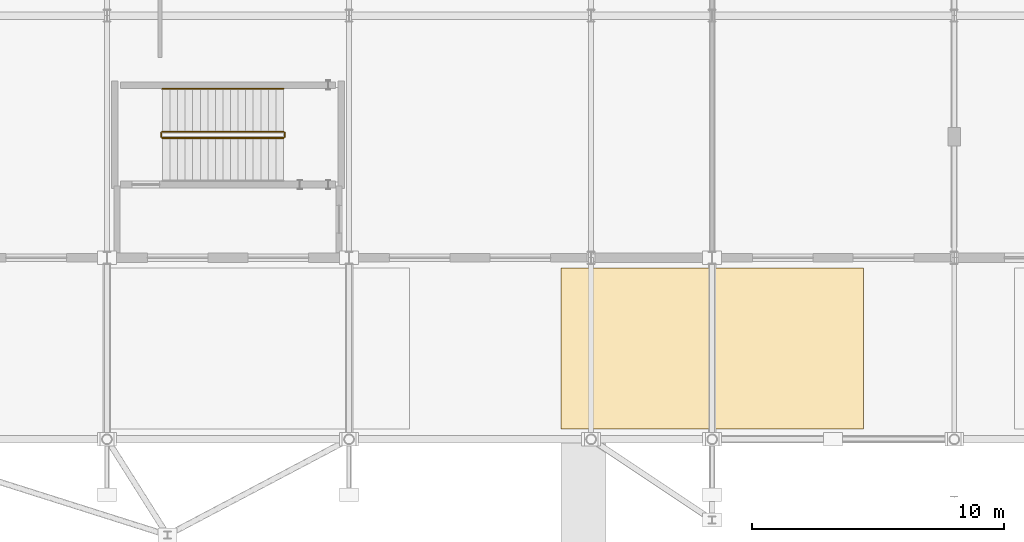
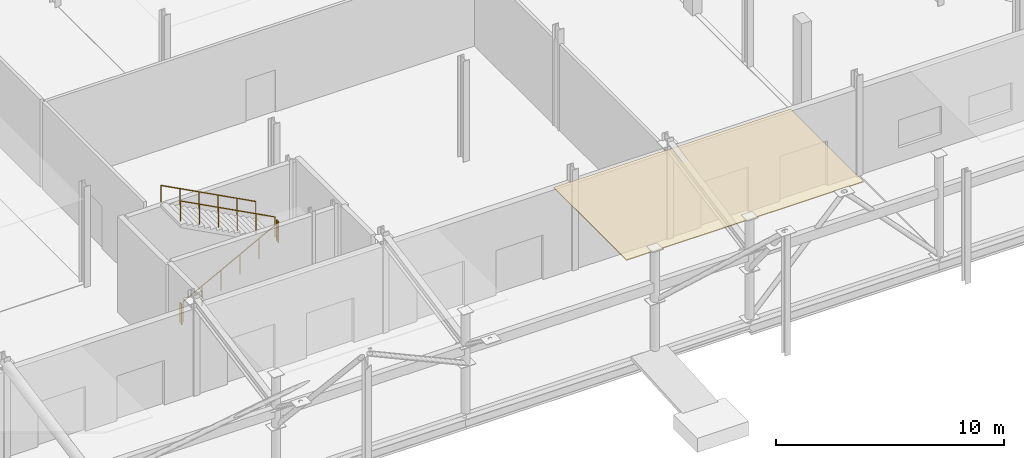
# One storey, part 68 of 84: 5 railings, 1 covering.
"""IFC4 building model written with IfcOpenShell, lengths in metres."""

import ifcopenshell
import ifcopenshell.guid

model = None  # the IFC model being written
_history = None  # IfcOwnerHistory: only IFC2X3 demands one
_inside = {}  # id of a spatial element -> (the spatial element, [elements in it])
_under = {}  # id of a project, library or spatial element -> (it, [spatial elements below it])
_declared = {}  # id of a project -> (the project, [libraries it declares])
_typed = {}  # id of a type object -> (the type object, [elements of that type])
_made_of = {}  # id of a material, layer set ... -> (it, [elements and type objects made of it])


def new_model(schema):
    """Start an empty IFC model of exactly this schema.

    Asked for "IFC4X3", IfcOpenShell would pick the latest addendum, in which some entities
    have other attributes; the version numbers below select the first issue.
    IFC2X3 requires an IfcOwnerHistory on every rooted entity: one is made here for all.
    """
    global model, _history
    if schema == "IFC4X3":
        model = ifcopenshell.file(schema_version=(4, 3, 0, 0))
    else:
        model = ifcopenshell.file(schema=schema)
    _inside.clear()
    _under.clear()
    _declared.clear()
    _typed.clear()
    _made_of.clear()
    _history = None
    if model.schema == "IFC2X3":
        org = make("IfcOrganization", Name="unknown")
        user = make(
            "IfcPersonAndOrganization",
            ThePerson=make("IfcPerson", FamilyName="unknown"),
            TheOrganization=org,
        )
        app = make(
            "IfcApplication",
            ApplicationDeveloper=org,
            Version="unknown",
            ApplicationFullName="unknown",
            ApplicationIdentifier="unknown",
        )
        _history = make(
            "IfcOwnerHistory",
            OwningUser=user,
            OwningApplication=app,
            ChangeAction="ADDED",
            CreationDate=0,
        )
    return model


def make(cls, **values):
    """One entity of the class cls with the attributes given. An attribute that is None is left unset."""
    return model.create_entity(
        cls, **{name: value for name, value in values.items() if value is not None}
    )


def rooted(cls, **values):
    """An entity with a GlobalId (a new one), such as an element, a storey or a relation."""
    return make(cls, GlobalId=ifcopenshell.guid.new(), OwnerHistory=_history, **values)


def si_unit(unit_type, name, prefix=None):
    """IfcSIUnit, for example si_unit("LENGTHUNIT", "METRE", prefix="MILLI")."""
    return make("IfcSIUnit", UnitType=unit_type, Prefix=prefix, Name=name)


def assignment(units):
    """IfcUnitAssignment: the units of a project."""
    return None if units is None else make("IfcUnitAssignment", Units=units)


def point(xyz):
    """IfcCartesianPoint."""
    return None if xyz is None else make("IfcCartesianPoint", Coordinates=xyz)


def direction(xyz):
    """IfcDirection."""
    return None if xyz is None else make("IfcDirection", DirectionRatios=xyz)


def frame(location, z_axis=None, x_axis=None):
    """IfcAxis2Placement3D, a coordinate frame: its origin and axes. An axis left out is left unset."""
    return make(
        "IfcAxis2Placement3D",
        Location=point(location),
        Axis=direction(z_axis),
        RefDirection=direction(x_axis),
    )


def frame_2d(location, x_axis=None):
    """IfcAxis2Placement2D, a coordinate frame in the plane: its origin and x axis."""
    return make(
        "IfcAxis2Placement2D", Location=point(location), RefDirection=direction(x_axis)
    )


def origin():
    """The frame at (0, 0, 0) with its axes left unset."""
    return frame((0.0, 0.0, 0.0))


def origin_2d():
    """The frame at (0, 0) in the plane with its x axis left unset."""
    return frame_2d((0.0, 0.0))


def place(relative_to, where):
    """IfcLocalPlacement: puts the frame where relative to a parent placement (None: the world)."""
    return make(
        "IfcLocalPlacement", PlacementRelTo=relative_to, RelativePlacement=where
    )


def context(
    kind, dimensions, precision=None, world=None, true_north=None, identifier=None
):
    """IfcGeometricRepresentationContext, for example the 3D "Model" context."""
    return make(
        "IfcGeometricRepresentationContext",
        ContextIdentifier=identifier,
        ContextType=kind,
        CoordinateSpaceDimension=dimensions,
        Precision=precision,
        WorldCoordinateSystem=world,
        TrueNorth=true_north,
    )


def subcontext(parent, identifier, kind, view, scale=None):
    """IfcGeometricRepresentationSubContext, for example "Body" below "Model"."""
    return make(
        "IfcGeometricRepresentationSubContext",
        ContextIdentifier=identifier,
        ContextType=kind,
        ParentContext=parent,
        TargetScale=scale,
        TargetView=view,
    )


def project(units=None, contexts=None):
    """IfcProject with its units and contexts."""
    return rooted(
        "IfcProject",
        Name="project",
        RepresentationContexts=contexts,
        UnitsInContext=assignment(units),
    )


def spatial(cls, under=None, at=None, **own):
    """A site, building, storey or space (cls), placed at a placement, below another one or the project."""
    s = rooted(cls, ObjectPlacement=at, **own)
    if under is not None:
        _under.setdefault(under.id(), (under, []))[1].append(s)
    return s


def polyline(points):
    """IfcPolyline through the points."""
    return make("IfcPolyline", Points=[point(p) for p in points])


def profile(cls, at=None, kind="AREA", **sizes):
    """A parametric profile (cls). Its sizes go by their IFC names, for example OverallWidth=200.0."""
    return make(cls, ProfileType=kind, Position=at, **sizes)


def circle(**sizes):
    """IfcCircleProfileDef."""
    return profile("IfcCircleProfileDef", **sizes)


def outline(outer, holes=None, kind="AREA"):
    """IfcArbitraryClosedProfileDef: a profile drawn as a closed curve; with holes, ...WithVoids."""
    if holes is None:
        return make("IfcArbitraryClosedProfileDef", ProfileType=kind, OuterCurve=outer)
    return make(
        "IfcArbitraryProfileDefWithVoids",
        ProfileType=kind,
        OuterCurve=outer,
        InnerCurves=holes,
    )


def extrude(swept, where, along, depth):
    """IfcExtrudedAreaSolid: the profile swept, set in the frame where, extruded along a direction by depth."""
    return make(
        "IfcExtrudedAreaSolid",
        SweptArea=swept,
        Position=where,
        ExtrudedDirection=direction(along),
        Depth=depth,
    )


def shape(context_of_items, identifier, shape_type, items):
    """IfcShapeRepresentation: the items that make up one representation, for example the "Body"."""
    return make(
        "IfcShapeRepresentation",
        ContextOfItems=context_of_items,
        RepresentationIdentifier=identifier,
        RepresentationType=shape_type,
        Items=items,
    )


def material(Name=None, Category=None):
    """IfcMaterial."""
    return make("IfcMaterial", Name=Name, Category=Category)


def layer(
    of_material, thickness, ventilated=None, Name=None, Category=None, Priority=None
):
    """IfcMaterialLayer: one layer of a wall or slab, of a material (None: an air gap)."""
    return make(
        "IfcMaterialLayer",
        Material=of_material,
        LayerThickness=thickness,
        IsVentilated=ventilated,
        Name=Name,
        Category=Category,
        Priority=Priority,
    )


def layer_set(layers, Name=None):
    """IfcMaterialLayerSet."""
    return make("IfcMaterialLayerSet", MaterialLayers=layers, LayerSetName=Name)


def made_of(thing, what):
    """Note that an element or type object is made of a material, layer set ...; save() writes the relation."""
    if what is not None:
        _made_of.setdefault(what.id(), (what, []))[1].append(thing)
    return thing


def type_object(cls, material=None, **own):
    """A type object (cls), such as IfcWallType, which elements share."""
    return made_of(rooted(cls, **own), material)


def element(
    cls,
    number,
    at=None,
    inside=None,
    cuts=None,
    type_object=None,
    material=None,
    context=None,
    identifier="Body",
    shape_type=None,
    held_by="IfcProductDefinitionShape",
    body=None,
    shapes=None,
    **own,
):
    """One element of the class cls, such as IfcWall. Its Tag is "e" and its number.

    at: its placement. inside: the storey or other place that contains it. cuts: it is an
    opening in that element (IfcRelVoidsElement). A single representation is given by context,
    identifier, shape_type and body (its items); several are given by shapes. held_by: the class
    of the entity that holds the representations. save() writes the other relations.
    """
    e = rooted(cls, Tag="e%d" % number, ObjectPlacement=at, **own)
    if body is not None:
        shapes = [shape(context, identifier, shape_type, body)]
    if shapes is not None:
        e.Representation = make(held_by, Representations=shapes)
    if inside is not None:
        _inside.setdefault(inside.id(), (inside, []))[1].append(e)
    if cuts is not None:
        rooted(
            "IfcRelVoidsElement", RelatingBuildingElement=cuts, RelatedOpeningElement=e
        )
    if type_object is not None:
        _typed.setdefault(type_object.id(), (type_object, []))[1].append(e)
    return made_of(e, material)


def aggregate(whole, parts):
    """IfcRelAggregates: a whole, such as a stair, and the parts it consists of."""
    return rooted("IfcRelAggregates", RelatingObject=whole, RelatedObjects=parts)


def save(model, path):
    """Write the relations noted so far, then the file.

    IfcRelAggregates (storeys below a building ...), IfcRelContainedInSpatialStructure (elements
    in a storey), IfcRelDefinesByType, IfcRelAssociatesMaterial and IfcRelDeclares: one each for
    every whole, place, type object, material and project.
    """
    for whole, parts in _under.values():
        aggregate(whole, parts)
    for where, things in _inside.values():
        rooted(
            "IfcRelContainedInSpatialStructure",
            RelatedElements=things,
            RelatingStructure=where,
        )
    for kind, things in _typed.values():
        rooted("IfcRelDefinesByType", RelatedObjects=things, RelatingType=kind)
    for what, things in _made_of.values():
        rooted("IfcRelAssociatesMaterial", RelatedObjects=things, RelatingMaterial=what)
    for by, libraries in _declared.values():
        rooted("IfcRelDeclares", RelatingContext=by, RelatedDefinitions=libraries)
    model.write(path)


model = new_model("IFC4")

# Units and contexts
model_context = context("Model", 3, precision=1e-05, world=origin(), true_north=direction((0.0, 1.0)))
body_context = subcontext(model_context, "Body", "Model", "MODEL_VIEW")
ifc_project = project(units=[si_unit("LENGTHUNIT", "METRE"), si_unit("AREAUNIT", "SQUARE_METRE"), si_unit("VOLUMEUNIT", "CUBIC_METRE"), si_unit("PLANEANGLEUNIT", "RADIAN"), si_unit("MASSUNIT", "GRAM", prefix="KILO")], contexts=[model_context])

# Site, building, storey
site_placement = place(None, origin())
site = spatial("IfcSite", under=ifc_project, at=site_placement, CompositionType="ELEMENT")
building_placement = place(site_placement, origin())
building = spatial("IfcBuilding", under=site, at=building_placement, Name="Zevrakil Square Congress Hotel", CompositionType="ELEMENT")
storey_placement = place(building_placement, origin())
storey = spatial("IfcBuildingStorey", under=building, at=storey_placement, Name="L01", CompositionType="ELEMENT", Elevation=0.0)

# Covering
ifc_material_1 = material(Name="White Ribbed Highland GRC Cladding")
ifc_layer = layer(ifc_material_1, 0.044921875)
ifc_layer_set = layer_set([ifc_layer], Name="White Ribbed Highland GRC Cladding")
covering_type = type_object("IfcCoveringType", Name="COV-CLAD-GRC-045", PredefinedType="CLADDING", material=ifc_layer_set)
covering_placement = place(storey_placement, frame((0.0, 0.0, 4.89990234375)))
element("IfcCovering", 1, at=covering_placement, inside=storey, type_object=covering_type, Name="L01 civic colonnade ribbed GRC soffit cladding 6", PredefinedType="CLADDING", context=body_context, shape_type="SweptSolid", body=[
    extrude(outline(polyline([(102.0, 0.39990234375), (114.0, 0.39990234375), (114.0, 6.800048828125), (102.0, 6.800048828125), (102.0, 0.39990234375)])), origin(), (0.0, 0.0, 1.0), 0.045166015625),
])

# Railings
ifc_material_2 = material(Name="Steel S355", Category="steel")
railing_type_1 = type_object("IfcRailingType", Name="RLG-STAIR-GUARD-1100", PredefinedType="BALUSTRADE", material=ifc_material_2)
railing_1_placement = place(storey_placement, frame((86.199951171875, 11.949951171875, 0.158935546875)))
element("IfcRailing", 2, at=railing_1_placement, inside=storey, type_object=railing_type_1, Name="L01 ST15 stair guard 1", PredefinedType="BALUSTRADE", context=body_context, shape_type="SweptSolid", body=[
    extrude(circle(Radius=0.02392578125, at=origin_2d()), frame((0.0, 0.0, 1.076171875), z_axis=(0.883802130504, 0.0, 0.467860870469), x_axis=(0.0, 1.0, 0.0)), (0.0, 0.0, 1.0), 5.43115234375),
    extrude(circle(Radius=0.02099609375, at=origin_2d()), origin(), (0.0, 0.0, 1.0), 1.052001953125),
    extrude(circle(Radius=0.02099609375, at=origin_2d()), frame((0.9599609375, 0.0, 0.50830078125)), (0.0, 0.0, 1.0), 1.052001953125),
    extrude(circle(Radius=0.02099609375, at=origin_2d()), frame((1.919921875, 0.0, 1.016357421875)), (0.0, 0.0, 1.0), 1.052001953125),
    extrude(circle(Radius=0.02099609375, at=origin_2d()), frame((2.880126953125, 0.0, 1.524658203125)), (0.0, 0.0, 1.0), 1.052001953125),
    extrude(circle(Radius=0.02099609375, at=origin_2d()), frame((3.840087890625, 0.0, 2.03271484375)), (0.0, 0.0, 1.0), 1.052001953125),
    extrude(circle(Radius=0.02099609375, at=origin_2d()), frame((4.800048828125, 0.0, 2.541015625)), (0.0, 0.0, 1.0), 1.052001953125),
])
railing_2_placement = place(storey_placement, frame((91.050048828125, 12.0, 2.699951171875)))
element("IfcRailing", 3, at=railing_2_placement, inside=storey, type_object=railing_type_1, Name="L01 ST15 stair guard 2", PredefinedType="BALUSTRADE", context=body_context, shape_type="SweptSolid", body=[
    extrude(circle(Radius=0.02392578125, at=origin_2d()), frame((0.0, 0.0, 1.076171875), z_axis=(0.0, 1.0, 0.0), x_axis=(-1.0, 0.0, 0.0)), (0.0, 0.0, 1.0), 0.14990234375),
    extrude(circle(Radius=0.02099609375, at=origin_2d()), origin(), (0.0, 0.0, 1.0), 1.052001953125),
    extrude(circle(Radius=0.02099609375, at=origin_2d()), frame((0.0, 0.14990234375, 0.0)), (0.0, 0.0, 1.0), 1.052001953125),
])
railing_3_placement = place(storey_placement, frame((91.0, 12.199951171875, 2.85888671875)))
element("IfcRailing", 4, at=railing_3_placement, inside=storey, type_object=railing_type_1, Name="L01 ST15 stair guard 3", PredefinedType="BALUSTRADE", context=body_context, shape_type="SweptSolid", body=[
    extrude(circle(Radius=0.02392578125, at=origin_2d()), frame((0.0, 0.0, 1.076171875), z_axis=(-0.883802130504, 0.0, 0.467860870469), x_axis=(0.0, -1.0, 0.0)), (0.0, 0.0, 1.0), 5.43115234375),
    extrude(circle(Radius=0.02099609375, at=origin_2d()), origin(), (0.0, 0.0, 1.0), 1.052001953125),
    extrude(circle(Radius=0.02099609375, at=origin_2d()), frame((-0.9599609375, 0.0, 0.50830078125)), (0.0, 0.0, 1.0), 1.052001953125),
    extrude(circle(Radius=0.02099609375, at=origin_2d()), frame((-1.919921875, 0.0, 1.016357421875)), (0.0, 0.0, 1.0), 1.052001953125),
    extrude(circle(Radius=0.02099609375, at=origin_2d()), frame((-2.880126953125, 0.0, 1.524658203125)), (0.0, 0.0, 1.0), 1.052001953125),
    extrude(circle(Radius=0.02099609375, at=origin_2d()), frame((-3.840087890625, 0.0, 2.03271484375)), (0.0, 0.0, 1.0), 1.052001953125),
    extrude(circle(Radius=0.02099609375, at=origin_2d()), frame((-4.800048828125, 0.0, 2.541015625)), (0.0, 0.0, 1.0), 1.052001953125),
])
railing_4_placement = place(storey_placement, frame((86.14990234375, 12.0, 0.0)))
element("IfcRailing", 5, at=railing_4_placement, inside=storey, type_object=railing_type_1, Name="L01 ST15 stair guard 4", PredefinedType="BALUSTRADE", context=body_context, shape_type="SweptSolid", body=[
    extrude(circle(Radius=0.02392578125, at=origin_2d()), frame((0.0, 0.0, 1.076171875), z_axis=(0.0, 1.0, 0.0), x_axis=(-1.0, 0.0, 0.0)), (0.0, 0.0, 1.0), 0.14990234375),
    extrude(circle(Radius=0.02099609375, at=origin_2d()), origin(), (0.0, 0.0, 1.0), 1.052001953125),
    extrude(circle(Radius=0.02099609375, at=origin_2d()), frame((0.0, 0.14990234375, 0.0)), (0.0, 0.0, 1.0), 1.052001953125),
])
ifc_material_3 = material(Name="Steel S355", Category="steel")
railing_type_2 = type_object("IfcRailingType", Name="RLG-STAIR-HAND-900", PredefinedType="HANDRAIL", material=ifc_material_3)
railing_5_placement = place(storey_placement, frame((91.0, 13.89990234375, 2.85888671875)))
element("IfcRailing", 6, at=railing_5_placement, inside=storey, type_object=railing_type_2, Name="L01 ST15 stair handrail 2", PredefinedType="HANDRAIL", context=body_context, shape_type="SweptSolid", body=[
    extrude(circle(Radius=0.02392578125, at=origin_2d()), frame((0.0, 0.0, 0.8759765625), z_axis=(-0.883802130504, 0.0, 0.467860870469), x_axis=(0.0, -1.0, 0.0)), (0.0, 0.0, 1.0), 5.43115234375),
    extrude(circle(Radius=0.02099609375, at=origin_2d()), origin(), (0.0, 0.0, 1.0), 0.851806640625),
    extrude(circle(Radius=0.02099609375, at=origin_2d()), frame((-0.9599609375, 0.0, 0.50830078125)), (0.0, 0.0, 1.0), 0.851806640625),
    extrude(circle(Radius=0.02099609375, at=origin_2d()), frame((-1.919921875, 0.0, 1.016357421875)), (0.0, 0.0, 1.0), 0.851806640625),
    extrude(circle(Radius=0.02099609375, at=origin_2d()), frame((-2.880126953125, 0.0, 1.524658203125)), (0.0, 0.0, 1.0), 0.851806640625),
    extrude(circle(Radius=0.02099609375, at=origin_2d()), frame((-3.840087890625, 0.0, 2.03271484375)), (0.0, 0.0, 1.0), 0.851806640625),
    extrude(circle(Radius=0.02099609375, at=origin_2d()), frame((-4.800048828125, 0.0, 2.541015625)), (0.0, 0.0, 1.0), 0.851806640625),
])

save(model, "model.ifc")
